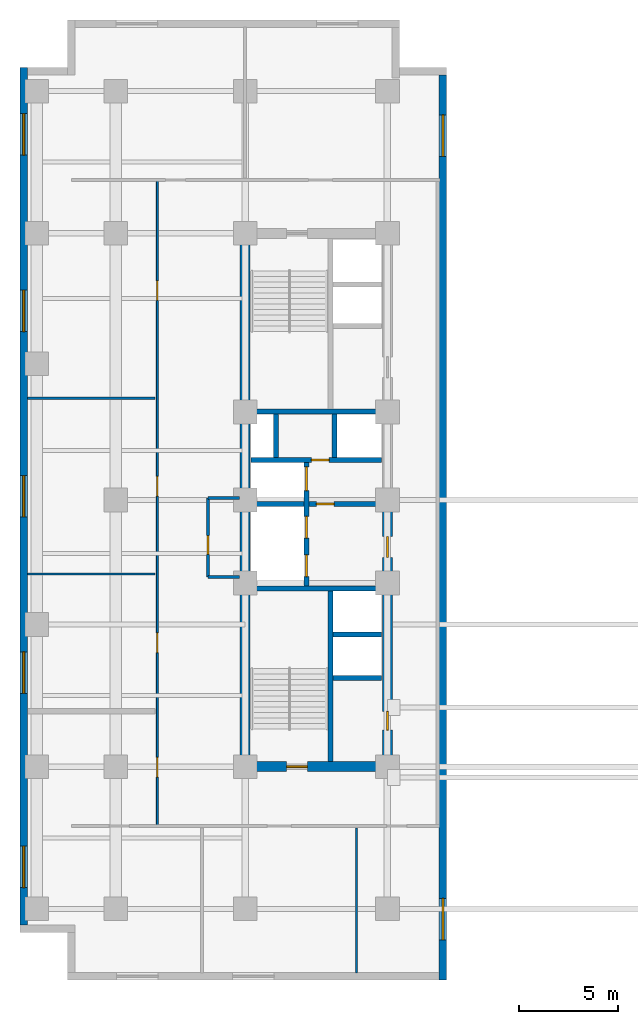
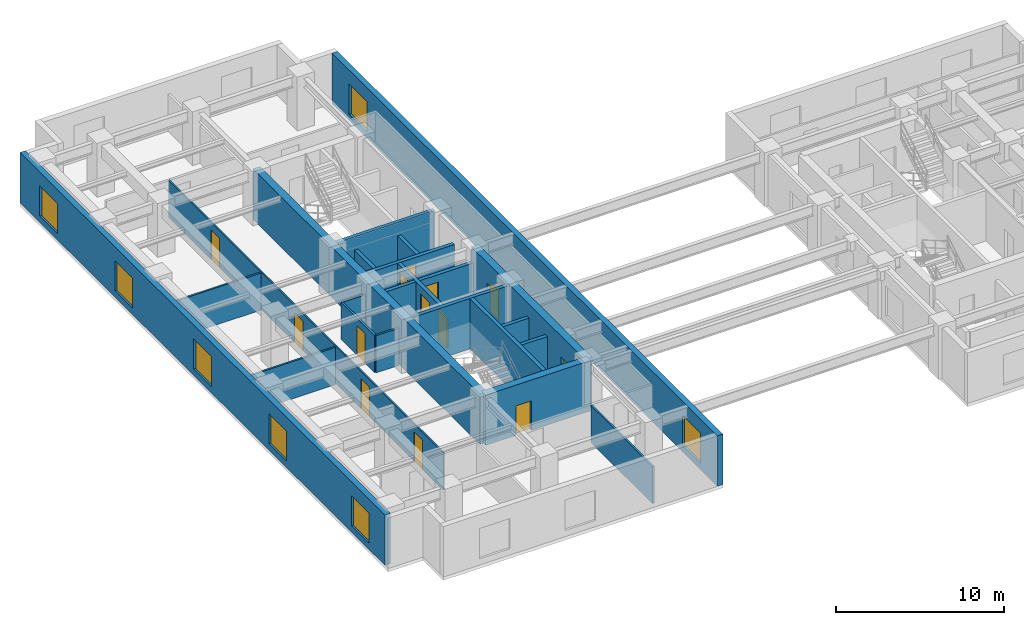
# One storey, part 3 of 8: 22 walls, 13 doors, 7 windows, 20 openings.
"""IFC4 building model written with IfcOpenShell, lengths in metres."""

from ifc_helpers import new_model, entity, si_unit, converted_unit, direction, frame, origin_with_axes, origin_2d_with_axis, place, context, subcontext, project, spatial, polyline, rectangle, outline, extrude, material, layer, layer_set, type_object, element, fill, save


model = new_model("IFC4")

# Units and contexts
model_context = context("Model", 3, precision=1e-05, world=origin_with_axes(), true_north=direction((0.0, 1.0)))
body_context = subcontext(model_context, "Body", "Model", "MODEL_VIEW")
ifc_project = project(units=[si_unit("LENGTHUNIT", "METRE"), si_unit("AREAUNIT", "SQUARE_METRE"), si_unit("VOLUMEUNIT", "CUBIC_METRE"), converted_unit("PLANEANGLEUNIT", "DEGREE", entity("IfcPlaneAngleMeasure", 0.017453292519943295), si_unit("PLANEANGLEUNIT", "RADIAN"), dimensions=[0, 0, 0, 0, 0, 0, 0]), si_unit("MASSUNIT", "GRAM", prefix="KILO"), si_unit("THERMODYNAMICTEMPERATUREUNIT", "KELVIN")], contexts=[model_context])

# Site, building, storey
site_placement = place(None, origin_with_axes())
site = spatial("IfcSite", under=ifc_project, at=site_placement, CompositionType="ELEMENT")
building_placement = place(site_placement, origin_with_axes())
building = spatial("IfcBuilding", under=site, at=building_placement, Name="Varnlund Millrace Tower", CompositionType="ELEMENT")
storey_placement = place(building_placement, frame((0.0, 0.0, 100.8), z_axis=(0.0, 0.0, 1.0), x_axis=(1.0, 0.0, 0.0)))
storey = spatial("IfcBuildingStorey", under=building, at=storey_placement, Name="L24", CompositionType="ELEMENT", Elevation=100.8)

# Wall
ifc_material_1 = material(Name="Concrete C70/85", Category="concrete")
ifc_layer_1 = layer(ifc_material_1, 0.5, Name="Concrete C70/85")
ifc_layer_set_1 = layer_set([ifc_layer_1], Name="Concrete C70/85")
wall_type_1 = type_object("IfcWallType", Name="Type-CoreWall-Shear-500-C70", PredefinedType="SHEAR", material=ifc_layer_set_1)
wall_1_placement = place(storey_placement, frame((11.4, 10.8, 0.0), z_axis=(0.0, 0.0, 1.0), x_axis=(0.0, 1.0, 0.0)))
element("IfcWall", 1, at=wall_1_placement, inside=storey, type_object=wall_type_1, Name="Type-CoreWall-Shear-500-C70", PredefinedType="SHEAR", context=body_context, shape_type="SweptSolid", body=[
    extrude(outline(polyline([(0.0, -0.25), (27.0, -0.25), (27.0, 0.25), (0.0, 0.25), (0.0, -0.25)])), origin_with_axes(), (0.0, 0.0, 1.0), 3.66),
])

# Wall, opening, door
wall_2_placement = place(storey_placement, frame((11.4, 10.8, 0.0), z_axis=(0.0, 0.0, 1.0), x_axis=(1.0, 0.0, 0.0)))
wall_2 = element("IfcWall", 2, at=wall_2_placement, inside=storey, type_object=wall_type_1, Name="Type-CoreWall-Shear-500-C70", PredefinedType="SHEAR", context=body_context, shape_type="SweptSolid", body=[
    extrude(outline(polyline([(0.0, -0.25), (7.2, -0.25), (7.2, 0.25), (0.0, 0.25), (0.0, -0.25)])), origin_with_axes(), (0.0, 0.0, 1.0), 3.66),
])
opening_1_placement = place(wall_2_placement, frame((2.625, 0.0, 0.0), z_axis=(0.0, 0.0, 1.0), x_axis=(1.0, 0.0, 0.0)))
opening_1 = element("IfcOpeningElement", 3, at=opening_1_placement, cuts=wall_2, Name="Opening L24:DR-STA1", PredefinedType="OPENING", context=body_context, shape_type="SweptSolid", body=[
    extrude(rectangle(XDim=1.05, YDim=0.52, at=origin_2d_with_axis()), origin_with_axes(), (0.0, 0.0, 1.0), 2.15),
])
ifc_material_2 = material(Name="Fire-rated hollow steel door", Category="steel")
door_type_1 = type_object("IfcDoorType", Name="Type-FireDoor-Stair-1050X2150", OperationType="NOTDEFINED", PredefinedType="DOOR", material=ifc_material_2)
door_1_placement = place(wall_2_placement, frame((2.625, 0.0, 0.0), z_axis=(0.0, 0.0, 1.0), x_axis=(1.0, 0.0, 0.0)))
door_1 = element("IfcDoor", 4, at=door_1_placement, inside=storey, type_object=door_type_1, Name="Type-FireDoor-Stair-1050X2150", OperationType="SINGLE_SWING_LEFT", OverallHeight=2.15, OverallWidth=1.05, PredefinedType="DOOR", context=body_context, shape_type="SweptSolid", body=[
    extrude(rectangle(XDim=1.05, YDim=0.09, at=origin_2d_with_axis()), origin_with_axes(), (0.0, 0.0, 1.0), 2.15),
])
fill(opening_1, door_1)

# Wall, openings, doors
wall_3_placement = place(storey_placement, frame((18.6, 10.8, 0.0), z_axis=(0.0, 0.0, 1.0), x_axis=(0.0, 1.0, 0.0)))
wall_3 = element("IfcWall", 5, at=wall_3_placement, inside=storey, type_object=wall_type_1, Name="Type-CoreWall-Shear-500-C70", PredefinedType="SHEAR", context=body_context, shape_type="SweptSolid", body=[
    extrude(outline(polyline([(0.0, -0.25), (13.5, -0.25), (13.5, 0.25), (0.0, 0.25), (0.0, -0.25)])), origin_with_axes(), (0.0, 0.0, 1.0), 3.66),
])
opening_2_placement = place(wall_3_placement, frame((11.125, 0.0, 0.0), z_axis=(0.0, 0.0, 1.0), x_axis=(1.0, 0.0, 0.0)))
opening_2 = element("IfcOpeningElement", 6, at=opening_2_placement, cuts=wall_3, Name="Opening L24:DR-FFLOB-A", PredefinedType="OPENING", context=body_context, shape_type="SweptSolid", body=[
    extrude(rectangle(XDim=1.05, YDim=0.52, at=origin_2d_with_axis()), origin_with_axes(), (0.0, 0.0, 1.0), 2.15),
])
opening_3_placement = place(wall_3_placement, frame((2.325, 0.0, 0.0), z_axis=(0.0, 0.0, 1.0), x_axis=(1.0, 0.0, 0.0)))
opening_3 = element("IfcOpeningElement", 7, at=opening_3_placement, cuts=wall_3, Name="Opening L24:DR-RECL-B1", PredefinedType="OPENING", context=body_context, shape_type="SweptSolid", body=[
    extrude(rectangle(XDim=0.95, YDim=0.52, at=origin_2d_with_axis()), origin_with_axes(), (0.0, 0.0, 1.0), 2.15),
])
ifc_material_3 = material(Name="Smoke-barrier hollow steel fire door", Category="steel")
door_type_2 = type_object("IfcDoorType", Name="Type-FireDoor-Lobby-1050X2150", OperationType="NOTDEFINED", PredefinedType="DOOR", material=ifc_material_3)
door_2_placement = place(wall_3_placement, frame((11.125, 0.0, 0.0), z_axis=(0.0, 0.0, 1.0), x_axis=(1.0, 0.0, 0.0)))
door_2 = element("IfcDoor", 8, at=door_2_placement, inside=storey, type_object=door_type_2, Name="Type-FireDoor-Lobby-1050X2150", OperationType="SINGLE_SWING_LEFT", OverallHeight=2.15, OverallWidth=1.05, PredefinedType="DOOR", context=body_context, shape_type="SweptSolid", body=[
    extrude(rectangle(XDim=1.05, YDim=0.09, at=origin_2d_with_axis()), origin_with_axes(), (0.0, 0.0, 1.0), 2.15),
])
fill(opening_2, door_2)
ifc_material_4 = material(Name="Fire-rated hollow steel core service door", Category="steel")
door_type_3 = type_object("IfcDoorType", Name="Type-FireDoor-Service-950X2150", OperationType="NOTDEFINED", PredefinedType="DOOR", material=ifc_material_4)
door_3_placement = place(wall_3_placement, frame((2.325, 0.0, 0.0), z_axis=(0.0, 0.0, 1.0), x_axis=(1.0, 0.0, 0.0)))
door_3 = element("IfcDoor", 9, at=door_3_placement, inside=storey, type_object=door_type_3, Name="Type-FireDoor-Service-950X2150", OperationType="SINGLE_SWING_LEFT", OverallHeight=2.15, OverallWidth=0.95, PredefinedType="DOOR", context=body_context, shape_type="SweptSolid", body=[
    extrude(rectangle(XDim=0.95, YDim=0.09, at=origin_2d_with_axis()), origin_with_axes(), (0.0, 0.0, 1.0), 2.15),
])
fill(opening_3, door_3)

# Wall, openings, windows
ifc_material_5 = material(Name="Precast concrete C50/60", Category="concrete")
ifc_layer_2 = layer(ifc_material_5, 0.38, Name="Precast concrete C50/60")
ifc_layer_set_2 = layer_set([ifc_layer_2], Name="Precast concrete C50/60")
wall_type_2 = type_object("IfcWallType", Name="Type-ExtWall-Precast-Tube-380", PredefinedType="SOLIDWALL", material=ifc_layer_set_2)
wall_4_placement = place(storey_placement, frame((0.19, 2.78, 0.0), z_axis=(0.0, 0.0, 1.0), x_axis=(0.0, 1.0, 0.0)))
wall_4 = element("IfcWall", 10, at=wall_4_placement, inside=storey, type_object=wall_type_2, Name="Type-ExtWall-Precast-Tube-380", PredefinedType="SOLIDWALL", context=body_context, shape_type="SweptSolid", body=[
    extrude(outline(polyline([(0.0, -0.19), (43.42, -0.19), (43.42, 0.19), (0.0, 0.19), (0.0, -0.19)])), origin_with_axes(), (0.0, 0.0, 1.0), 3.66),
])
opening_4_placement = place(wall_4_placement, frame((2.946, 0.0, 0.45), z_axis=(0.0, 0.0, 1.0), x_axis=(1.0, 0.0, 0.0)))
opening_4 = element("IfcOpeningElement", 11, at=opening_4_placement, cuts=wall_4, Name="Opening L24:WN-01", PredefinedType="OPENING", context=body_context, shape_type="SweptSolid", body=[
    extrude(rectangle(XDim=2.1, YDim=0.4, at=origin_2d_with_axis()), origin_with_axes(), (0.0, 0.0, 1.0), 2.2),
])
opening_5_placement = place(wall_4_placement, frame((12.778, 0.0, 0.45), z_axis=(0.0, 0.0, 1.0), x_axis=(1.0, 0.0, 0.0)))
opening_5 = element("IfcOpeningElement", 12, at=opening_5_placement, cuts=wall_4, Name="Opening L24:WN-02", PredefinedType="OPENING", context=body_context, shape_type="SweptSolid", body=[
    extrude(rectangle(XDim=2.1, YDim=0.4, at=origin_2d_with_axis()), origin_with_axes(), (0.0, 0.0, 1.0), 2.2),
])
opening_6_placement = place(wall_4_placement, frame((21.71, 0.0, 0.45), z_axis=(0.0, 0.0, 1.0), x_axis=(1.0, 0.0, 0.0)))
opening_6 = element("IfcOpeningElement", 13, at=opening_6_placement, cuts=wall_4, Name="Opening L24:WN-03", PredefinedType="OPENING", context=body_context, shape_type="SweptSolid", body=[
    extrude(rectangle(XDim=2.1, YDim=0.4, at=origin_2d_with_axis()), origin_with_axes(), (0.0, 0.0, 1.0), 2.2),
])
opening_7_placement = place(wall_4_placement, frame((31.092, 0.0, 0.45), z_axis=(0.0, 0.0, 1.0), x_axis=(1.0, 0.0, 0.0)))
opening_7 = element("IfcOpeningElement", 14, at=opening_7_placement, cuts=wall_4, Name="Opening L24:WN-04", PredefinedType="OPENING", context=body_context, shape_type="SweptSolid", body=[
    extrude(rectangle(XDim=2.1, YDim=0.4, at=origin_2d_with_axis()), origin_with_axes(), (0.0, 0.0, 1.0), 2.2),
])
opening_8_placement = place(wall_4_placement, frame((40.024, 0.0, 0.45), z_axis=(0.0, 0.0, 1.0), x_axis=(1.0, 0.0, 0.0)))
opening_8 = element("IfcOpeningElement", 15, at=opening_8_placement, cuts=wall_4, Name="Opening L24:WN-05", PredefinedType="OPENING", context=body_context, shape_type="SweptSolid", body=[
    extrude(rectangle(XDim=2.1, YDim=0.4, at=origin_2d_with_axis()), origin_with_axes(), (0.0, 0.0, 1.0), 2.2),
])
ifc_material_6 = material(Name="Argon low-e triple glazing in thermally broken bronze frame", Category="glass")
window_type = type_object("IfcWindowType", Name="Type-Window-Punched-2100X2200", PartitioningType="SINGLE_PANEL", PredefinedType="WINDOW", material=ifc_material_6)
window_1_placement = place(wall_4_placement, frame((2.946, 0.0, 0.45), z_axis=(0.0, 0.0, 1.0), x_axis=(1.0, 0.0, 0.0)))
window_1 = element("IfcWindow", 16, at=window_1_placement, inside=storey, type_object=window_type, Name="Type-Window-Punched-2100X2200", OverallHeight=2.2, OverallWidth=2.1, PredefinedType="WINDOW", context=body_context, shape_type="SweptSolid", body=[
    extrude(rectangle(XDim=2.1, YDim=0.09, at=origin_2d_with_axis()), origin_with_axes(), (0.0, 0.0, 1.0), 2.2),
])
fill(opening_4, window_1)
window_2_placement = place(wall_4_placement, frame((12.778, 0.0, 0.45), z_axis=(0.0, 0.0, 1.0), x_axis=(1.0, 0.0, 0.0)))
window_2 = element("IfcWindow", 17, at=window_2_placement, inside=storey, type_object=window_type, Name="Type-Window-Punched-2100X2200", OverallHeight=2.2, OverallWidth=2.1, PredefinedType="WINDOW", context=body_context, shape_type="SweptSolid", body=[
    extrude(rectangle(XDim=2.1, YDim=0.09, at=origin_2d_with_axis()), origin_with_axes(), (0.0, 0.0, 1.0), 2.2),
])
fill(opening_5, window_2)
window_3_placement = place(wall_4_placement, frame((21.71, 0.0, 0.45), z_axis=(0.0, 0.0, 1.0), x_axis=(1.0, 0.0, 0.0)))
window_3 = element("IfcWindow", 18, at=window_3_placement, inside=storey, type_object=window_type, Name="Type-Window-Punched-2100X2200", OverallHeight=2.2, OverallWidth=2.1, PredefinedType="WINDOW", context=body_context, shape_type="SweptSolid", body=[
    extrude(rectangle(XDim=2.1, YDim=0.09, at=origin_2d_with_axis()), origin_with_axes(), (0.0, 0.0, 1.0), 2.2),
])
fill(opening_6, window_3)
window_4_placement = place(wall_4_placement, frame((31.092, 0.0, 0.45), z_axis=(0.0, 0.0, 1.0), x_axis=(1.0, 0.0, 0.0)))
window_4 = element("IfcWindow", 19, at=window_4_placement, inside=storey, type_object=window_type, Name="Type-Window-Punched-2100X2200", OverallHeight=2.2, OverallWidth=2.1, PredefinedType="WINDOW", context=body_context, shape_type="SweptSolid", body=[
    extrude(rectangle(XDim=2.1, YDim=0.09, at=origin_2d_with_axis()), origin_with_axes(), (0.0, 0.0, 1.0), 2.2),
])
fill(opening_7, window_4)
window_5_placement = place(wall_4_placement, frame((40.024, 0.0, 0.45), z_axis=(0.0, 0.0, 1.0), x_axis=(1.0, 0.0, 0.0)))
window_5 = element("IfcWindow", 20, at=window_5_placement, inside=storey, type_object=window_type, Name="Type-Window-Punched-2100X2200", OverallHeight=2.2, OverallWidth=2.1, PredefinedType="WINDOW", context=body_context, shape_type="SweptSolid", body=[
    extrude(rectangle(XDim=2.1, YDim=0.09, at=origin_2d_with_axis()), origin_with_axes(), (0.0, 0.0, 1.0), 2.2),
])
fill(opening_8, window_5)

wall_5_placement = place(storey_placement, frame((21.41, 45.82, 0.0), z_axis=(0.0, 0.0, 1.0), x_axis=(0.0, -1.0, 0.0)))
wall_5 = element("IfcWall", 21, at=wall_5_placement, inside=storey, type_object=wall_type_2, Name="Type-ExtWall-Precast-Tube-380", PredefinedType="SOLIDWALL", context=body_context, shape_type="SweptSolid", body=[
    extrude(outline(polyline([(0.0, -0.19), (45.82, -0.19), (45.82, 0.19), (0.0, 0.19), (0.0, -0.19)])), origin_with_axes(), (0.0, 0.0, 1.0), 3.66),
])
opening_9_placement = place(wall_5_placement, frame((3.079, 0.0, 0.45), z_axis=(0.0, 0.0, 1.0), x_axis=(1.0, 0.0, 0.0)))
opening_9 = element("IfcOpeningElement", 22, at=opening_9_placement, cuts=wall_5, Name="Opening L24:WN-08", PredefinedType="OPENING", context=body_context, shape_type="SweptSolid", body=[
    extrude(rectangle(XDim=2.1, YDim=0.4, at=origin_2d_with_axis()), origin_with_axes(), (0.0, 0.0, 1.0), 2.2),
])
opening_10_placement = place(wall_5_placement, frame((42.741, 0.0, 0.45), z_axis=(0.0, 0.0, 1.0), x_axis=(1.0, 0.0, 0.0)))
opening_10 = element("IfcOpeningElement", 23, at=opening_10_placement, cuts=wall_5, Name="Opening L24:WN-09", PredefinedType="OPENING", context=body_context, shape_type="SweptSolid", body=[
    extrude(rectangle(XDim=2.1, YDim=0.4, at=origin_2d_with_axis()), origin_with_axes(), (0.0, 0.0, 1.0), 2.2),
])
window_6_placement = place(wall_5_placement, frame((3.079, 0.0, 0.45), z_axis=(0.0, 0.0, 1.0), x_axis=(1.0, 0.0, 0.0)))
window_6 = element("IfcWindow", 24, at=window_6_placement, inside=storey, type_object=window_type, Name="Type-Window-Punched-2100X2200", OverallHeight=2.2, OverallWidth=2.1, PredefinedType="WINDOW", context=body_context, shape_type="SweptSolid", body=[
    extrude(rectangle(XDim=2.1, YDim=0.09, at=origin_2d_with_axis()), origin_with_axes(), (0.0, 0.0, 1.0), 2.2),
])
fill(opening_9, window_6)
window_7_placement = place(wall_5_placement, frame((42.741, 0.0, 0.45), z_axis=(0.0, 0.0, 1.0), x_axis=(1.0, 0.0, 0.0)))
window_7 = element("IfcWindow", 25, at=window_7_placement, inside=storey, type_object=window_type, Name="Type-Window-Punched-2100X2200", OverallHeight=2.2, OverallWidth=2.1, PredefinedType="WINDOW", context=body_context, shape_type="SweptSolid", body=[
    extrude(rectangle(XDim=2.1, YDim=0.09, at=origin_2d_with_axis()), origin_with_axes(), (0.0, 0.0, 1.0), 2.2),
])
fill(opening_10, window_7)

# Wall, openings, doors
ifc_material_7 = material(Name="Architectural bronze and acoustic glass office front", Category="glass")
ifc_layer_3 = layer(ifc_material_7, 0.1, Name="Architectural bronze and acoustic glass office front")
ifc_layer_set_3 = layer_set([ifc_layer_3], Name="Architectural bronze and acoustic glass office front")
wall_type_3 = type_object("IfcWallType", Name="Type-Partition-Glazed-100", PredefinedType="PARTITIONING", material=ifc_layer_set_3)
wall_6_placement = place(storey_placement, frame((6.95, 7.8, 0.0), z_axis=(0.0, 0.0, 1.0), x_axis=(0.0, 1.0, 0.0)))
wall_6 = element("IfcWall", 26, at=wall_6_placement, inside=storey, type_object=wall_type_3, Name="Type-Partition-Glazed-100", PredefinedType="PARTITIONING", context=body_context, shape_type="SweptSolid", body=[
    extrude(outline(polyline([(0.0, -0.05), (32.7, -0.05), (32.7, 0.05), (0.0, 0.05), (0.0, -0.05)])), origin_with_axes(), (0.0, 0.0, 1.0), 2.7),
])
opening_11_placement = place(wall_6_placement, frame((2.967, 0.0, 0.0), z_axis=(0.0, 0.0, 1.0), x_axis=(1.0, 0.0, 0.0)))
opening_11 = element("IfcOpeningElement", 27, at=opening_11_placement, cuts=wall_6, Name="Opening L24:DR-W-01", PredefinedType="OPENING", context=body_context, shape_type="SweptSolid", body=[
    extrude(rectangle(XDim=1.0, YDim=0.12, at=origin_2d_with_axis()), origin_with_axes(), (0.0, 0.0, 1.0), 2.15),
])
opening_12_placement = place(wall_6_placement, frame((9.279, 0.0, 0.0), z_axis=(0.0, 0.0, 1.0), x_axis=(1.0, 0.0, 0.0)))
opening_12 = element("IfcOpeningElement", 28, at=opening_12_placement, cuts=wall_6, Name="Opening L24:DR-W-02", PredefinedType="OPENING", context=body_context, shape_type="SweptSolid", body=[
    extrude(rectangle(XDim=1.0, YDim=0.12, at=origin_2d_with_axis()), origin_with_axes(), (0.0, 0.0, 1.0), 2.15),
])
opening_13_placement = place(wall_6_placement, frame((17.202, 0.0, 0.0), z_axis=(0.0, 0.0, 1.0), x_axis=(1.0, 0.0, 0.0)))
opening_13 = element("IfcOpeningElement", 29, at=opening_13_placement, cuts=wall_6, Name="Opening L24:DR-W-03", PredefinedType="OPENING", context=body_context, shape_type="SweptSolid", body=[
    extrude(rectangle(XDim=1.0, YDim=0.12, at=origin_2d_with_axis()), origin_with_axes(), (0.0, 0.0, 1.0), 2.15),
])
opening_14_placement = place(wall_6_placement, frame((27.11, 0.0, 0.0), z_axis=(0.0, 0.0, 1.0), x_axis=(1.0, 0.0, 0.0)))
opening_14 = element("IfcOpeningElement", 30, at=opening_14_placement, cuts=wall_6, Name="Opening L24:DR-W-04", PredefinedType="OPENING", context=body_context, shape_type="SweptSolid", body=[
    extrude(rectangle(XDim=1.0, YDim=0.12, at=origin_2d_with_axis()), origin_with_axes(), (0.0, 0.0, 1.0), 2.15),
])
ifc_material_8 = material(Name="Solid-core white oak and bronze frame door")
door_type_4 = type_object("IfcDoorType", Name="Type-IntDoor-Office-1000X2150", OperationType="NOTDEFINED", PredefinedType="DOOR", material=ifc_material_8)
door_4_placement = place(wall_6_placement, frame((2.967, 0.0, 0.0), z_axis=(0.0, 0.0, 1.0), x_axis=(1.0, 0.0, 0.0)))
door_4 = element("IfcDoor", 31, at=door_4_placement, inside=storey, type_object=door_type_4, Name="Type-IntDoor-Office-1000X2150", OperationType="SINGLE_SWING_LEFT", OverallHeight=2.15, OverallWidth=1.0, PredefinedType="DOOR", context=body_context, shape_type="SweptSolid", body=[
    extrude(rectangle(XDim=1.0, YDim=0.06, at=origin_2d_with_axis()), origin_with_axes(), (0.0, 0.0, 1.0), 2.15),
])
fill(opening_11, door_4)
door_5_placement = place(wall_6_placement, frame((9.279, 0.0, 0.0), z_axis=(0.0, 0.0, 1.0), x_axis=(1.0, 0.0, 0.0)))
door_5 = element("IfcDoor", 32, at=door_5_placement, inside=storey, type_object=door_type_4, Name="Type-IntDoor-Office-1000X2150", OperationType="SINGLE_SWING_RIGHT", OverallHeight=2.15, OverallWidth=1.0, PredefinedType="DOOR", context=body_context, shape_type="SweptSolid", body=[
    extrude(rectangle(XDim=1.0, YDim=0.06, at=origin_2d_with_axis()), origin_with_axes(), (0.0, 0.0, 1.0), 2.15),
])
fill(opening_12, door_5)
door_6_placement = place(wall_6_placement, frame((17.202, 0.0, 0.0), z_axis=(0.0, 0.0, 1.0), x_axis=(1.0, 0.0, 0.0)))
door_6 = element("IfcDoor", 33, at=door_6_placement, inside=storey, type_object=door_type_4, Name="Type-IntDoor-Office-1000X2150", OperationType="SINGLE_SWING_LEFT", OverallHeight=2.15, OverallWidth=1.0, PredefinedType="DOOR", context=body_context, shape_type="SweptSolid", body=[
    extrude(rectangle(XDim=1.0, YDim=0.06, at=origin_2d_with_axis()), origin_with_axes(), (0.0, 0.0, 1.0), 2.15),
])
fill(opening_13, door_6)
door_7_placement = place(wall_6_placement, frame((27.11, 0.0, 0.0), z_axis=(0.0, 0.0, 1.0), x_axis=(1.0, 0.0, 0.0)))
door_7 = element("IfcDoor", 34, at=door_7_placement, inside=storey, type_object=door_type_4, Name="Type-IntDoor-Office-1000X2150", OperationType="SINGLE_SWING_RIGHT", OverallHeight=2.15, OverallWidth=1.0, PredefinedType="DOOR", context=body_context, shape_type="SweptSolid", body=[
    extrude(rectangle(XDim=1.0, YDim=0.06, at=origin_2d_with_axis()), origin_with_axes(), (0.0, 0.0, 1.0), 2.15),
])
fill(opening_14, door_7)

# Walls
ifc_material_9 = material(Name="Gypsum board tenant partition", Category="gypsum")
ifc_layer_4 = layer(ifc_material_9, 0.125, Name="Gypsum board tenant partition")
ifc_layer_set_4 = layer_set([ifc_layer_4], Name="Gypsum board tenant partition")
wall_type_4 = type_object("IfcWallType", Name="Type-Partition-Tenant-125", PredefinedType="PARTITIONING", material=ifc_layer_set_4)
for number, where, z_axis, x_axis, name in (
    (35, (0.375, 20.554, 0.0), (0.0, 0.0, 1.0), (1.0, 0.0, 0.0), "Type-Partition-Tenant-125"),
    (36, (0.375, 29.45, 0.0), (0.0, 0.0, 1.0), (1.0, 0.0, 0.0), "Type-Partition-Tenant-125"),
):
    element("IfcWall", number, at=place(storey_placement, frame(where, z_axis=z_axis, x_axis=x_axis)), inside=storey, type_object=wall_type_4, Name=name, PredefinedType="PARTITIONING", context=body_context, shape_type="SweptSolid", body=[
        extrude(outline(polyline([(0.0, -0.0625), (6.455, -0.0625), (6.455, 0.0625), (0.0, 0.0625), (0.0, -0.0625)])), origin_with_axes(), (0.0, 0.0, 1.0), 2.7),
    ])
wall_7_placement = place(storey_placement, frame((17.036, 0.36, 0.0), z_axis=(0.0, 0.0, 1.0), x_axis=(0.0, 1.0, 0.0)))
element("IfcWall", 37, at=wall_7_placement, inside=storey, type_object=wall_type_4, Name="Type-Partition-Tenant-125", PredefinedType="PARTITIONING", context=body_context, shape_type="SweptSolid", body=[
    extrude(outline(polyline([(0.0, -0.0625), (7.34, -0.0625), (7.34, 0.0625), (0.0, 0.0625), (0.0, -0.0625)])), origin_with_axes(), (0.0, 0.0, 1.0), 2.7),
])

# Wall, opening, door
ifc_material_10 = material(Name="Moisture-resistant gypsum restroom partition", Category="gypsum")
ifc_layer_5 = layer(ifc_material_10, 0.14, Name="Moisture-resistant gypsum restroom partition")
ifc_layer_set_5 = layer_set([ifc_layer_5], Name="Moisture-resistant gypsum restroom partition")
wall_type_5 = type_object("IfcWallType", Name="Type-Partition-Wet-140", PredefinedType="PARTITIONING", material=ifc_layer_set_5)
wall_8_placement = place(storey_placement, frame((9.52, 20.4, 0.0), z_axis=(0.0, 0.0, 1.0), x_axis=(0.0, 1.0, 0.0)))
wall_8 = element("IfcWall", 38, at=wall_8_placement, inside=storey, type_object=wall_type_5, Name="Type-Partition-Wet-140", PredefinedType="PARTITIONING", context=body_context, shape_type="SweptSolid", body=[
    extrude(outline(polyline([(0.0, -0.07), (4.0, -0.07), (4.0, 0.07), (0.0, 0.07), (0.0, -0.07)])), origin_with_axes(), (0.0, 0.0, 1.0), 2.7),
])
opening_15_placement = place(wall_8_placement, frame((1.625, 0.0, 0.0), z_axis=(0.0, 0.0, 1.0), x_axis=(1.0, 0.0, 0.0)))
opening_15 = element("IfcOpeningElement", 39, at=opening_15_placement, cuts=wall_8, Name="Opening L24:DR-CA-WCW", PredefinedType="OPENING", context=body_context, shape_type="SweptSolid", body=[
    extrude(rectangle(XDim=0.95, YDim=0.16, at=origin_2d_with_axis()), origin_with_axes(), (0.0, 0.0, 1.0), 2.15),
])
ifc_material_11 = material(Name="Solid-core acoustic office door")
door_type_5 = type_object("IfcDoorType", Name="Type-IntDoor-Tenant-950X2150", OperationType="NOTDEFINED", PredefinedType="DOOR", material=ifc_material_11)
door_8_placement = place(wall_8_placement, frame((1.625, 0.0, 0.0), z_axis=(0.0, 0.0, 1.0), x_axis=(1.0, 0.0, 0.0)))
door_8 = element("IfcDoor", 40, at=door_8_placement, inside=storey, type_object=door_type_5, Name="Type-IntDoor-Tenant-950X2150", OperationType="SINGLE_SWING_LEFT", OverallHeight=2.15, OverallWidth=0.95, PredefinedType="DOOR", context=body_context, shape_type="SweptSolid", body=[
    extrude(rectangle(XDim=0.95, YDim=0.084, at=origin_2d_with_axis()), origin_with_axes(), (0.0, 0.0, 1.0), 2.15),
])
fill(opening_15, door_8)

# Walls
for number, where, z_axis, x_axis, name in (
    (41, (9.52, 20.4, 0.0), (0.0, 0.0, 1.0), (1.0, 0.0, 0.0), "Type-Partition-Wet-140"),
    (42, (9.52, 24.4, 0.0), (0.0, 0.0, 1.0), (1.0, 0.0, 0.0), "Type-Partition-Wet-140"),
):
    element("IfcWall", number, at=place(storey_placement, frame(where, z_axis=z_axis, x_axis=x_axis)), inside=storey, type_object=wall_type_5, Name=name, PredefinedType="PARTITIONING", context=body_context, shape_type="SweptSolid", body=[
        extrude(outline(polyline([(0.0, -0.07), (1.58, -0.07), (1.58, 0.07), (0.0, 0.07), (0.0, -0.07)])), origin_with_axes(), (0.0, 0.0, 1.0), 2.7),
    ])

# Wall, openings, doors
ifc_material_12 = material(Name="Concrete C60/75", Category="concrete")
ifc_layer_6 = layer(ifc_material_12, 0.25, Name="Concrete C60/75")
ifc_layer_set_6 = layer_set([ifc_layer_6], Name="Concrete C60/75")
wall_type_6 = type_object("IfcWallType", Name="Type-ShaftWall-Fire-250", PredefinedType="SOLIDWALL", material=ifc_layer_set_6)
wall_9_placement = place(storey_placement, frame((14.5, 19.95, 0.0), z_axis=(0.0, 0.0, 1.0), x_axis=(0.0, 1.0, 0.0)))
wall_9 = element("IfcWall", 43, at=wall_9_placement, inside=storey, type_object=wall_type_6, Name="Type-ShaftWall-Fire-250", PredefinedType="SOLIDWALL", context=body_context, shape_type="SweptSolid", body=[
    extrude(outline(polyline([(0.0, -0.125), (6.25, -0.125), (6.25, 0.125), (0.0, 0.125), (0.0, -0.125)])), origin_with_axes(), (0.0, 0.0, 1.0), 2.7),
])
opening_16_placement = place(wall_9_placement, frame((1.025, 0.0, 0.0), z_axis=(0.0, 0.0, 1.0), x_axis=(1.0, 0.0, 0.0)))
opening_16 = element("IfcOpeningElement", 44, at=opening_16_placement, cuts=wall_9, Name="Opening L24:LD-FSAE1", PredefinedType="OPENING", context=body_context, shape_type="SweptSolid", body=[
    extrude(rectangle(XDim=1.1, YDim=0.27, at=origin_2d_with_axis()), origin_with_axes(), (0.0, 0.0, 1.0), 2.15),
])
opening_17_placement = place(wall_9_placement, frame((2.975, 0.0, 0.0), z_axis=(0.0, 0.0, 1.0), x_axis=(1.0, 0.0, 0.0)))
opening_17 = element("IfcOpeningElement", 45, at=opening_17_placement, cuts=wall_9, Name="Opening L24:LD-FSAE2", PredefinedType="OPENING", context=body_context, shape_type="SweptSolid", body=[
    extrude(rectangle(XDim=1.1, YDim=0.27, at=origin_2d_with_axis()), origin_with_axes(), (0.0, 0.0, 1.0), 2.15),
])
opening_18_placement = place(wall_9_placement, frame((5.425, 0.0, 0.0), z_axis=(0.0, 0.0, 1.0), x_axis=(1.0, 0.0, 0.0)))
opening_18 = element("IfcOpeningElement", 46, at=opening_18_placement, cuts=wall_9, Name="Opening L24:LD-SRV1", PredefinedType="OPENING", context=body_context, shape_type="SweptSolid", body=[
    extrude(rectangle(XDim=1.2, YDim=0.27, at=origin_2d_with_axis()), origin_with_axes(), (0.0, 0.0, 1.0), 2.15),
])
ifc_material_13 = material(Name="Stainless and architectural bronze sliding landing door")
door_type_6 = type_object("IfcDoorType", Name="Type-LiftLandingDoor-1100X2150", OperationType="NOTDEFINED", PredefinedType="DOOR", material=ifc_material_13)
door_9_placement = place(wall_9_placement, frame((1.025, 0.0, 0.0), z_axis=(0.0, 0.0, 1.0), x_axis=(1.0, 0.0, 0.0)))
door_9 = element("IfcDoor", 47, at=door_9_placement, inside=storey, type_object=door_type_6, Name="Type-LiftLandingDoor-1100X2150", OperationType="SLIDING_TO_LEFT", OverallHeight=2.15, OverallWidth=1.1, PredefinedType="DOOR", context=body_context, shape_type="SweptSolid", body=[
    extrude(rectangle(XDim=1.1, YDim=0.09, at=origin_2d_with_axis()), origin_with_axes(), (0.0, 0.0, 1.0), 2.15),
])
fill(opening_16, door_9)
door_10_placement = place(wall_9_placement, frame((2.975, 0.0, 0.0), z_axis=(0.0, 0.0, 1.0), x_axis=(1.0, 0.0, 0.0)))
door_10 = element("IfcDoor", 48, at=door_10_placement, inside=storey, type_object=door_type_6, Name="Type-LiftLandingDoor-1100X2150", OperationType="SLIDING_TO_RIGHT", OverallHeight=2.15, OverallWidth=1.1, PredefinedType="DOOR", context=body_context, shape_type="SweptSolid", body=[
    extrude(rectangle(XDim=1.1, YDim=0.09, at=origin_2d_with_axis()), origin_with_axes(), (0.0, 0.0, 1.0), 2.15),
])
fill(opening_17, door_10)
ifc_material_14 = material(Name="Heavy-duty freight sliding landing door")
door_type_7 = type_object("IfcDoorType", Name="Type-LiftLandingDoor-Service-1200X2150", OperationType="NOTDEFINED", PredefinedType="DOOR", material=ifc_material_14)
door_11_placement = place(wall_9_placement, frame((5.425, 0.0, 0.0), z_axis=(0.0, 0.0, 1.0), x_axis=(1.0, 0.0, 0.0)))
door_11 = element("IfcDoor", 49, at=door_11_placement, inside=storey, type_object=door_type_7, Name="Type-LiftLandingDoor-Service-1200X2150", OperationType="DOUBLE_DOOR_SLIDING", OverallHeight=2.15, OverallWidth=1.2, PredefinedType="DOOR", context=body_context, shape_type="SweptSolid", body=[
    extrude(rectangle(XDim=1.2, YDim=0.09, at=origin_2d_with_axis()), origin_with_axes(), (0.0, 0.0, 1.0), 2.15),
])
fill(opening_18, door_11)

# Wall, opening, door
wall_10_placement = place(storey_placement, frame((11.7, 24.1, 0.0), z_axis=(0.0, 0.0, 1.0), x_axis=(1.0, 0.0, 0.0)))
wall_10 = element("IfcWall", 50, at=wall_10_placement, inside=storey, type_object=wall_type_6, Name="Type-ShaftWall-Fire-250", PredefinedType="SOLIDWALL", context=body_context, shape_type="SweptSolid", body=[
    extrude(outline(polyline([(0.0, -0.125), (6.6, -0.125), (6.6, 0.125), (0.0, 0.125), (0.0, -0.125)])), origin_with_axes(), (0.0, 0.0, 1.0), 2.7),
])
opening_19_placement = place(wall_10_placement, frame((3.75, 0.0, 0.0), z_axis=(0.0, 0.0, 1.0), x_axis=(1.0, 0.0, 0.0)))
opening_19 = element("IfcOpeningElement", 51, at=opening_19_placement, cuts=wall_10, Name="Opening L24:DR-CA-SRV1", PredefinedType="OPENING", context=body_context, shape_type="SweptSolid", body=[
    extrude(rectangle(XDim=0.9, YDim=0.27, at=origin_2d_with_axis()), origin_with_axes(), (0.0, 0.0, 1.0), 2.15),
])
ifc_material_15 = material(Name="Fire-rated hollow steel service closet door", Category="steel")
door_type_8 = type_object("IfcDoorType", Name="Type-FireDoor-Closet-900X2150", OperationType="NOTDEFINED", PredefinedType="DOOR", material=ifc_material_15)
door_12_placement = place(wall_10_placement, frame((3.75, 0.0, 0.0), z_axis=(0.0, 0.0, 1.0), x_axis=(1.0, 0.0, 0.0)))
door_12 = element("IfcDoor", 52, at=door_12_placement, inside=storey, type_object=door_type_8, Name="Type-FireDoor-Closet-900X2150", OperationType="SINGLE_SWING_LEFT", OverallHeight=2.15, OverallWidth=0.9, PredefinedType="DOOR", context=body_context, shape_type="SweptSolid", body=[
    extrude(rectangle(XDim=0.9, YDim=0.09, at=origin_2d_with_axis()), origin_with_axes(), (0.0, 0.0, 1.0), 2.15),
])
fill(opening_19, door_12)

wall_11_placement = place(storey_placement, frame((11.7, 26.325, 0.0), z_axis=(0.0, 0.0, 1.0), x_axis=(1.0, 0.0, 0.0)))
wall_11 = element("IfcWall", 53, at=wall_11_placement, inside=storey, type_object=wall_type_6, Name="Type-ShaftWall-Fire-250", PredefinedType="SOLIDWALL", context=body_context, shape_type="SweptSolid", body=[
    extrude(outline(polyline([(0.0, -0.125), (6.6, -0.125), (6.6, 0.125), (0.0, 0.125), (0.0, -0.125)])), origin_with_axes(), (0.0, 0.0, 1.0), 2.7),
])
opening_20_placement = place(wall_11_placement, frame((3.5, 0.0, 0.0), z_axis=(0.0, 0.0, 1.0), x_axis=(1.0, 0.0, 0.0)))
opening_20 = element("IfcOpeningElement", 54, at=opening_20_placement, cuts=wall_11, Name="Opening L24:DR-CA-ELC", PredefinedType="OPENING", context=body_context, shape_type="SweptSolid", body=[
    extrude(rectangle(XDim=0.9, YDim=0.27, at=origin_2d_with_axis()), origin_with_axes(), (0.0, 0.0, 1.0), 2.15),
])
door_13_placement = place(wall_11_placement, frame((3.5, 0.0, 0.0), z_axis=(0.0, 0.0, 1.0), x_axis=(1.0, 0.0, 0.0)))
door_13 = element("IfcDoor", 55, at=door_13_placement, inside=storey, type_object=door_type_8, Name="Type-FireDoor-Closet-900X2150", OperationType="SINGLE_SWING_LEFT", OverallHeight=2.15, OverallWidth=0.9, PredefinedType="DOOR", context=body_context, shape_type="SweptSolid", body=[
    extrude(rectangle(XDim=0.9, YDim=0.09, at=origin_2d_with_axis()), origin_with_axes(), (0.0, 0.0, 1.0), 2.15),
])
fill(opening_20, door_13)

# Walls
for number, where, z_axis, x_axis, name in (
    (56, (12.96, 26.45, 0.0), (0.0, 0.0, 1.0), (0.0, 1.0, 0.0), "Type-ShaftWall-Fire-250"),
    (57, (15.925, 26.45, 0.0), (0.0, 0.0, 1.0), (0.0, 1.0, 0.0), "Type-ShaftWall-Fire-250"),
):
    element("IfcWall", number, at=place(storey_placement, frame(where, z_axis=z_axis, x_axis=x_axis)), inside=storey, type_object=wall_type_6, Name=name, PredefinedType="SOLIDWALL", context=body_context, shape_type="SweptSolid", body=[
        extrude(outline(polyline([(0.0, -0.125), (2.2, -0.125), (2.2, 0.125), (0.0, 0.125), (0.0, -0.125)])), origin_with_axes(), (0.0, 0.0, 1.0), 2.7),
    ])
for number, where, z_axis, x_axis, name in (
    (58, (15.84, 15.29, 0.0), (0.0, 0.0, 1.0), (1.0, 0.0, 0.0), "Type-ShaftWall-Fire-250"),
    (59, (15.84, 17.49, 0.0), (0.0, 0.0, 1.0), (1.0, 0.0, 0.0), "Type-ShaftWall-Fire-250"),
):
    element("IfcWall", number, at=place(storey_placement, frame(where, z_axis=z_axis, x_axis=x_axis)), inside=storey, type_object=wall_type_6, Name=name, PredefinedType="SOLIDWALL", context=body_context, shape_type="SweptSolid", body=[
        extrude(outline(polyline([(0.0, -0.125), (2.46, -0.125), (2.46, 0.125), (0.0, 0.125), (0.0, -0.125)])), origin_with_axes(), (0.0, 0.0, 1.0), 2.7),
    ])
wall_type_7 = type_object("IfcWallType", Name="Type-StairWall-Shear-250", PredefinedType="SHEAR", material=ifc_layer_set_6)
wall_12_placement = place(storey_placement, frame((15.725, 11.05, 0.0), z_axis=(0.0, 0.0, 1.0), x_axis=(0.0, 1.0, 0.0)))
element("IfcWall", 60, at=wall_12_placement, inside=storey, type_object=wall_type_7, Name="Type-StairWall-Shear-250", PredefinedType="SHEAR", context=body_context, shape_type="SweptSolid", body=[
    extrude(outline(polyline([(0.0, -0.125), (8.65, -0.125), (8.65, 0.125), (0.0, 0.125), (0.0, -0.125)])), origin_with_axes(), (0.0, 0.0, 1.0), 3.66),
])
for number, where, z_axis, x_axis, name in (
    (61, (11.65, 19.825, 0.0), (0.0, 0.0, 1.0), (1.0, 0.0, 0.0), "Type-StairWall-Shear-250"),
    (62, (11.65, 28.775, 0.0), (0.0, 0.0, 1.0), (1.0, 0.0, 0.0), "Type-StairWall-Shear-250"),
):
    element("IfcWall", number, at=place(storey_placement, frame(where, z_axis=z_axis, x_axis=x_axis)), inside=storey, type_object=wall_type_7, Name=name, PredefinedType="SHEAR", context=body_context, shape_type="SweptSolid", body=[
        extrude(outline(polyline([(0.0, -0.125), (6.7, -0.125), (6.7, 0.125), (0.0, 0.125), (0.0, -0.125)])), origin_with_axes(), (0.0, 0.0, 1.0), 3.66),
    ])

save(model, "model.ifc")
